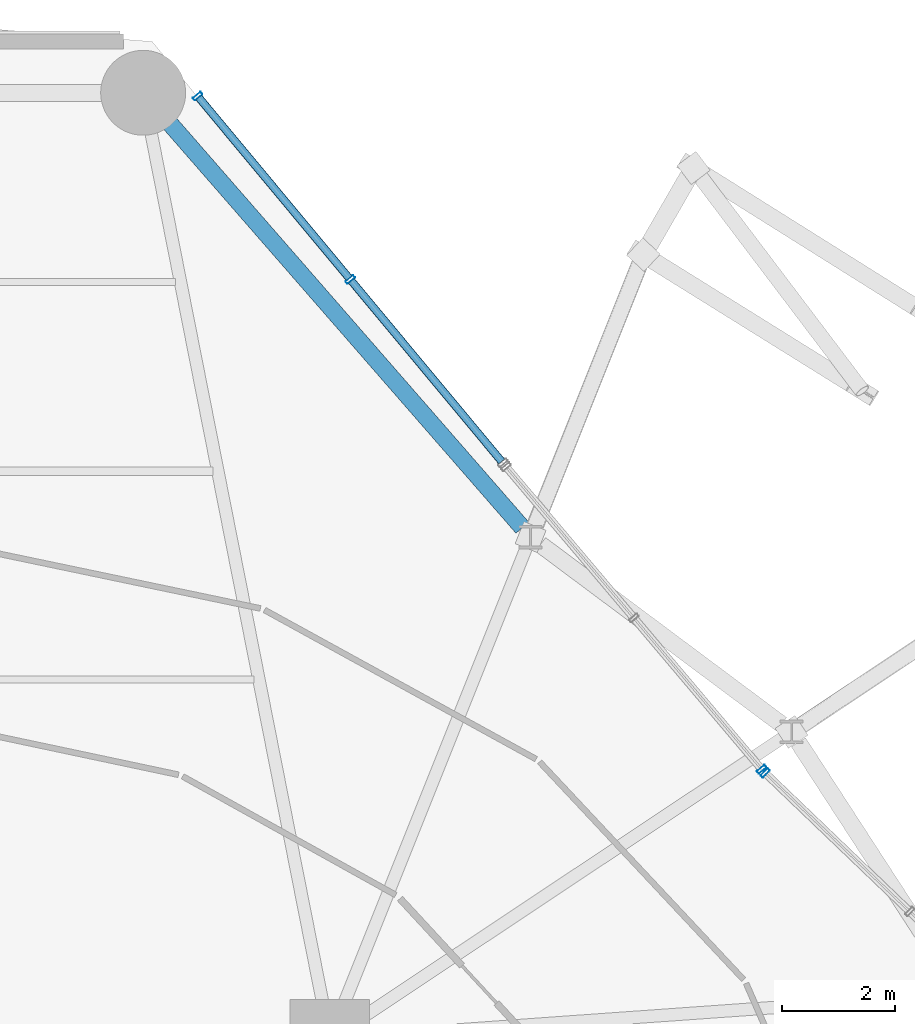
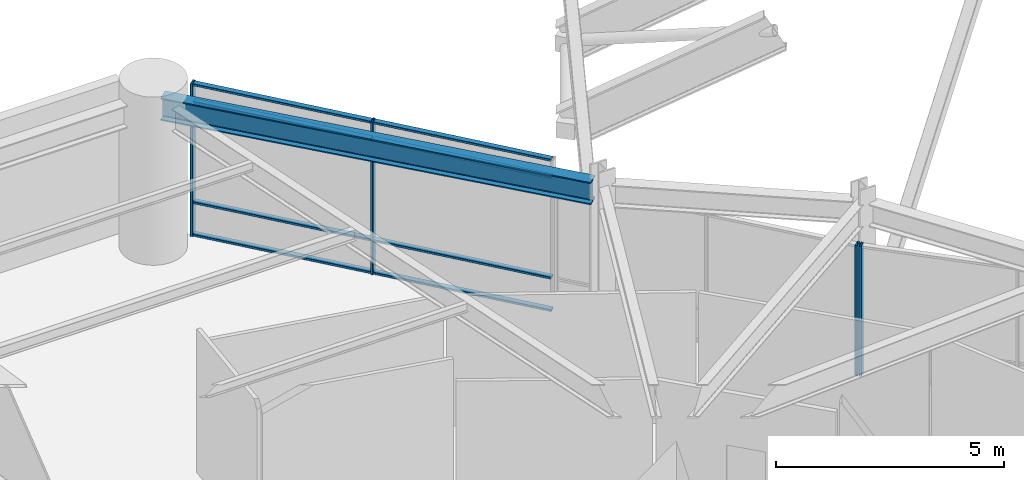
# One storey, part 36 of 53: 12 members, 1 beam, 3 elements without a shape of their own.
"""IFC4 building model written with IfcOpenShell, lengths in metres."""

import ifcopenshell
import ifcopenshell.guid

model = None  # the IFC model being written
_history = None  # IfcOwnerHistory: only IFC2X3 demands one
_inside = {}  # id of a spatial element -> (the spatial element, [elements in it])
_under = {}  # id of a project, library or spatial element -> (it, [spatial elements below it])
_declared = {}  # id of a project -> (the project, [libraries it declares])
_typed = {}  # id of a type object -> (the type object, [elements of that type])
_made_of = {}  # id of a material, layer set ... -> (it, [elements and type objects made of it])


def new_model(schema):
    """Start an empty IFC model of exactly this schema.

    Asked for "IFC4X3", IfcOpenShell would pick the latest addendum, in which some entities
    have other attributes; the version numbers below select the first issue.
    IFC2X3 requires an IfcOwnerHistory on every rooted entity: one is made here for all.
    """
    global model, _history
    if schema == "IFC4X3":
        model = ifcopenshell.file(schema_version=(4, 3, 0, 0))
    else:
        model = ifcopenshell.file(schema=schema)
    _inside.clear()
    _under.clear()
    _declared.clear()
    _typed.clear()
    _made_of.clear()
    _history = None
    if model.schema == "IFC2X3":
        org = make("IfcOrganization", Name="unknown")
        user = make(
            "IfcPersonAndOrganization",
            ThePerson=make("IfcPerson", FamilyName="unknown"),
            TheOrganization=org,
        )
        app = make(
            "IfcApplication",
            ApplicationDeveloper=org,
            Version="unknown",
            ApplicationFullName="unknown",
            ApplicationIdentifier="unknown",
        )
        _history = make(
            "IfcOwnerHistory",
            OwningUser=user,
            OwningApplication=app,
            ChangeAction="ADDED",
            CreationDate=0,
        )
    return model


def make(cls, **values):
    """One entity of the class cls with the attributes given. An attribute that is None is left unset."""
    return model.create_entity(
        cls, **{name: value for name, value in values.items() if value is not None}
    )


def rooted(cls, **values):
    """An entity with a GlobalId (a new one), such as an element, a storey or a relation."""
    return make(cls, GlobalId=ifcopenshell.guid.new(), OwnerHistory=_history, **values)


def si_unit(unit_type, name, prefix=None):
    """IfcSIUnit, for example si_unit("LENGTHUNIT", "METRE", prefix="MILLI")."""
    return make("IfcSIUnit", UnitType=unit_type, Prefix=prefix, Name=name)


def assignment(units):
    """IfcUnitAssignment: the units of a project."""
    return None if units is None else make("IfcUnitAssignment", Units=units)


def point(xyz):
    """IfcCartesianPoint."""
    return None if xyz is None else make("IfcCartesianPoint", Coordinates=xyz)


def direction(xyz):
    """IfcDirection."""
    return None if xyz is None else make("IfcDirection", DirectionRatios=xyz)


def frame(location, z_axis=None, x_axis=None):
    """IfcAxis2Placement3D, a coordinate frame: its origin and axes. An axis left out is left unset."""
    return make(
        "IfcAxis2Placement3D",
        Location=point(location),
        Axis=direction(z_axis),
        RefDirection=direction(x_axis),
    )


def frame_2d(location, x_axis=None):
    """IfcAxis2Placement2D, a coordinate frame in the plane: its origin and x axis."""
    return make(
        "IfcAxis2Placement2D", Location=point(location), RefDirection=direction(x_axis)
    )


def origin():
    """The frame at (0, 0, 0) with its axes left unset."""
    return frame((0.0, 0.0, 0.0))


def origin_2d():
    """The frame at (0, 0) in the plane with its x axis left unset."""
    return frame_2d((0.0, 0.0))


def place(relative_to, where):
    """IfcLocalPlacement: puts the frame where relative to a parent placement (None: the world)."""
    return make(
        "IfcLocalPlacement", PlacementRelTo=relative_to, RelativePlacement=where
    )


def context(
    kind, dimensions, precision=None, world=None, true_north=None, identifier=None
):
    """IfcGeometricRepresentationContext, for example the 3D "Model" context."""
    return make(
        "IfcGeometricRepresentationContext",
        ContextIdentifier=identifier,
        ContextType=kind,
        CoordinateSpaceDimension=dimensions,
        Precision=precision,
        WorldCoordinateSystem=world,
        TrueNorth=true_north,
    )


def subcontext(parent, identifier, kind, view, scale=None):
    """IfcGeometricRepresentationSubContext, for example "Body" below "Model"."""
    return make(
        "IfcGeometricRepresentationSubContext",
        ContextIdentifier=identifier,
        ContextType=kind,
        ParentContext=parent,
        TargetScale=scale,
        TargetView=view,
    )


def project(units=None, contexts=None):
    """IfcProject with its units and contexts."""
    return rooted(
        "IfcProject",
        Name="project",
        RepresentationContexts=contexts,
        UnitsInContext=assignment(units),
    )


def spatial(cls, under=None, at=None, **own):
    """A site, building, storey or space (cls), placed at a placement, below another one or the project."""
    s = rooted(cls, ObjectPlacement=at, **own)
    if under is not None:
        _under.setdefault(under.id(), (under, []))[1].append(s)
    return s


def profile(cls, at=None, kind="AREA", **sizes):
    """A parametric profile (cls). Its sizes go by their IFC names, for example OverallWidth=200.0."""
    return make(cls, ProfileType=kind, Position=at, **sizes)


def hollow_rectangle(**sizes):
    """IfcRectangleHollowProfileDef."""
    return profile("IfcRectangleHollowProfileDef", **sizes)


def i_section(**sizes):
    """IfcIShapeProfileDef."""
    return profile("IfcIShapeProfileDef", **sizes)


def extrude(swept, where, along, depth):
    """IfcExtrudedAreaSolid: the profile swept, set in the frame where, extruded along a direction by depth."""
    return make(
        "IfcExtrudedAreaSolid",
        SweptArea=swept,
        Position=where,
        ExtrudedDirection=direction(along),
        Depth=depth,
    )


def shape(context_of_items, identifier, shape_type, items):
    """IfcShapeRepresentation: the items that make up one representation, for example the "Body"."""
    return make(
        "IfcShapeRepresentation",
        ContextOfItems=context_of_items,
        RepresentationIdentifier=identifier,
        RepresentationType=shape_type,
        Items=items,
    )


def material(Name=None, Category=None):
    """IfcMaterial."""
    return make("IfcMaterial", Name=Name, Category=Category)


def layer(
    of_material, thickness, ventilated=None, Name=None, Category=None, Priority=None
):
    """IfcMaterialLayer: one layer of a wall or slab, of a material (None: an air gap)."""
    return make(
        "IfcMaterialLayer",
        Material=of_material,
        LayerThickness=thickness,
        IsVentilated=ventilated,
        Name=Name,
        Category=Category,
        Priority=Priority,
    )


def layer_set(layers, Name=None):
    """IfcMaterialLayerSet."""
    return make("IfcMaterialLayerSet", MaterialLayers=layers, LayerSetName=Name)


def material_profile(
    of_material, cross_section, Name=None, Category=None, Priority=None
):
    """IfcMaterialProfile: a cross section and its material."""
    return make(
        "IfcMaterialProfile",
        Name=Name,
        Material=of_material,
        Profile=cross_section,
        Priority=Priority,
        Category=Category,
    )


def profile_set(profiles, Name=None, composite=None):
    """IfcMaterialProfileSet."""
    return make(
        "IfcMaterialProfileSet",
        Name=Name,
        MaterialProfiles=profiles,
        CompositeProfile=composite,
    )


def made_of(thing, what):
    """Note that an element or type object is made of a material, layer set ...; save() writes the relation."""
    if what is not None:
        _made_of.setdefault(what.id(), (what, []))[1].append(thing)
    return thing


def type_object(cls, material=None, **own):
    """A type object (cls), such as IfcWallType, which elements share."""
    return made_of(rooted(cls, **own), material)


def element(
    cls,
    number,
    at=None,
    inside=None,
    cuts=None,
    type_object=None,
    material=None,
    context=None,
    identifier="Body",
    shape_type=None,
    held_by="IfcProductDefinitionShape",
    body=None,
    shapes=None,
    **own,
):
    """One element of the class cls, such as IfcWall. Its Tag is "e" and its number.

    at: its placement. inside: the storey or other place that contains it. cuts: it is an
    opening in that element (IfcRelVoidsElement). A single representation is given by context,
    identifier, shape_type and body (its items); several are given by shapes. held_by: the class
    of the entity that holds the representations. save() writes the other relations.
    """
    e = rooted(cls, Tag="e%d" % number, ObjectPlacement=at, **own)
    if body is not None:
        shapes = [shape(context, identifier, shape_type, body)]
    if shapes is not None:
        e.Representation = make(held_by, Representations=shapes)
    if inside is not None:
        _inside.setdefault(inside.id(), (inside, []))[1].append(e)
    if cuts is not None:
        rooted(
            "IfcRelVoidsElement", RelatingBuildingElement=cuts, RelatedOpeningElement=e
        )
    if type_object is not None:
        _typed.setdefault(type_object.id(), (type_object, []))[1].append(e)
    return made_of(e, material)


def aggregate(whole, parts):
    """IfcRelAggregates: a whole, such as a stair, and the parts it consists of."""
    return rooted("IfcRelAggregates", RelatingObject=whole, RelatedObjects=parts)


def save(model, path):
    """Write the relations noted so far, then the file.

    IfcRelAggregates (storeys below a building ...), IfcRelContainedInSpatialStructure (elements
    in a storey), IfcRelDefinesByType, IfcRelAssociatesMaterial and IfcRelDeclares: one each for
    every whole, place, type object, material and project.
    """
    for whole, parts in _under.values():
        aggregate(whole, parts)
    for where, things in _inside.values():
        rooted(
            "IfcRelContainedInSpatialStructure",
            RelatedElements=things,
            RelatingStructure=where,
        )
    for kind, things in _typed.values():
        rooted("IfcRelDefinesByType", RelatedObjects=things, RelatingType=kind)
    for what, things in _made_of.values():
        rooted("IfcRelAssociatesMaterial", RelatedObjects=things, RelatingMaterial=what)
    for by, libraries in _declared.values():
        rooted("IfcRelDeclares", RelatingContext=by, RelatedDefinitions=libraries)
    model.write(path)


model = new_model("IFC4")

# Units and contexts
model_context = context("Model", 3, precision=1e-05, world=origin(), true_north=direction((0.0, 1.0)))
body_context = subcontext(model_context, "Body", "Model", "MODEL_VIEW")
ifc_project = project(units=[si_unit("LENGTHUNIT", "METRE"), si_unit("AREAUNIT", "SQUARE_METRE"), si_unit("VOLUMEUNIT", "CUBIC_METRE"), si_unit("PLANEANGLEUNIT", "RADIAN"), si_unit("MASSUNIT", "GRAM", prefix="KILO")], contexts=[model_context])

# Site, building, storey
site_placement = place(None, origin())
site = spatial("IfcSite", under=ifc_project, at=site_placement, CompositionType="ELEMENT")
building_placement = place(site_placement, origin())
building = spatial("IfcBuilding", under=site, at=building_placement, Name="Kelanora Arch Commons", CompositionType="ELEMENT")
storey_placement = place(building_placement, frame((0.0, 0.0, 9.0)))
storey = spatial("IfcBuildingStorey", under=building, at=storey_placement, Name="L02", CompositionType="ELEMENT", Elevation=9.0)

# Beam
ifc_material_1 = material(Name="Steel S355", Category="steel")
ifc_material_profile_1 = material_profile(ifc_material_1, i_section(OverallWidth=0.300048828125, OverallDepth=0.60009765625, WebThickness=0.015380859375, FlangeThickness=0.030029296875, FilletRadius=0.027099609375, at=origin_2d()), Name="HEB600")
ifc_profile_set_1 = profile_set([ifc_material_profile_1], Name="Steel S355")
beam_type = type_object("IfcBeamType", Name="BM-SPN-Z1", PredefinedType="SPANDREL", material=ifc_profile_set_1)
beam_placement = place(storey_placement, frame((85.40087890625, 74.0322265625, 3.800048828125), z_axis=(-0.657217586408, 0.753700898311, 0.0), x_axis=(-0.753700898311, -0.657217586408, 0.0)))
element("IfcBeam", 1, at=beam_placement, inside=storey, type_object=beam_type, Name="Perimeter Spandrel Beam BS-06 L02", PredefinedType="SPANDREL", context=body_context, shape_type="SweptSolid", body=[
    extrude(i_section(OverallWidth=0.300048828125, OverallDepth=0.60009765625, WebThickness=0.015380859375, FlangeThickness=0.030029296875, FilletRadius=0.027099609375, at=origin_2d()), origin(), (0.0, 0.0, 1.0), 9.97216796875),
])

# Curtain wall, member
ifc_material_2 = material(Name="Terracotta ceramic-fritted low-E glass and aluminium", Category="masonry")
ifc_layer = layer(ifc_material_2, 0.2099609375)
ifc_layer_set = layer_set([ifc_layer], Name="Terracotta ceramic-fritted low-E glass and aluminium")
curtain_wall_type = type_object("IfcCurtainWallType", Name="CW-SYS-04", PredefinedType="NOTDEFINED", material=ifc_layer_set)
curtain_wall_1_placement = place(storey_placement, origin())
curtain_wall_1 = element("IfcCurtainWall", 2, at=curtain_wall_1_placement, inside=storey, type_object=curtain_wall_type, Name="Unitised Curtain Wall L02-B01", PredefinedType="NOTDEFINED")
ifc_material_3 = material(Name="Powder-coated aluminium terracotta", Category="masonry")
ifc_material_profile_2 = material_profile(ifc_material_3, hollow_rectangle(XDim=0.179931640625, YDim=0.06005859375, WallThickness=0.0048828125, InnerFilletRadius=0.0048828125, OuterFilletRadius=0.010009765625, at=origin_2d()), Name="CWM180x60")
ifc_profile_set_2 = profile_set([ifc_material_profile_2], Name="Powder-coated aluminium terracotta")
member_type_1 = type_object("IfcMemberType", Name="CWM-HVY", PredefinedType="MULLION", material=ifc_profile_set_2)
member_1_placement = place(storey_placement, frame((89.6904296875, 69.69970703125, 0.0), z_axis=(0.0, 0.0, 1.0), x_axis=(-0.691952518914, -0.721943011302, 0.0)))
member_1 = element("IfcMember", 3, at=member_1_placement, type_object=member_type_1, Name="CW-04 mullion 3", PredefinedType="MULLION", context=body_context, shape_type="SweptSolid", body=[
    extrude(hollow_rectangle(XDim=0.179931640625, YDim=0.06005859375, WallThickness=0.0048828125, InnerFilletRadius=0.0048828125, OuterFilletRadius=0.010009765625, at=origin_2d()), origin(), (0.0, 0.0, 1.0), 3.47998046875),
])
aggregate(curtain_wall_1, [member_1])

curtain_wall_2_placement = place(storey_placement, origin())
curtain_wall_2 = element("IfcCurtainWall", 4, at=curtain_wall_2_placement, inside=storey, type_object=curtain_wall_type, Name="Unitised Curtain Wall L02-B02", PredefinedType="NOTDEFINED")
member_2_placement = place(storey_placement, frame((89.62890625, 69.765380859375, 0.0), z_axis=(0.0, 0.0, 1.0), x_axis=(-0.763854903949, -0.645388011752, 0.0)))
member_2 = element("IfcMember", 5, at=member_2_placement, type_object=member_type_1, Name="CW-04 mullion 1", PredefinedType="MULLION", context=body_context, shape_type="SweptSolid", body=[
    extrude(hollow_rectangle(XDim=0.179931640625, YDim=0.06005859375, WallThickness=0.0048828125, InnerFilletRadius=0.0048828125, OuterFilletRadius=0.010009765625, at=origin_2d()), origin(), (0.0, 0.0, 1.0), 3.47998046875),
])
aggregate(curtain_wall_2, [member_2])

# Curtain wall, members
curtain_wall_3_placement = place(storey_placement, origin())
curtain_wall_3 = element("IfcCurtainWall", 6, at=curtain_wall_3_placement, inside=storey, type_object=curtain_wall_type, Name="Unitised Curtain Wall L02-B03", PredefinedType="NOTDEFINED")
member_3_placement = place(storey_placement, frame((82.361083984375, 78.416015625, 0.0), z_axis=(0.0, 0.0, 1.0), x_axis=(-0.768622918602, -0.639702125211, 0.0)))
member_3 = element("IfcMember", 7, at=member_3_placement, type_object=member_type_1, Name="CW-04 mullion 2", PredefinedType="MULLION", context=body_context, shape_type="SweptSolid", body=[
    extrude(hollow_rectangle(XDim=0.179931640625, YDim=0.06005859375, WallThickness=0.0048828125, InnerFilletRadius=0.0048828125, OuterFilletRadius=0.010009765625, at=origin_2d()), origin(), (0.0, 0.0, 1.0), 4.0849609375),
])
member_4_placement = place(storey_placement, frame((79.665771484375, 81.654541015625, 0.0), z_axis=(0.0, 0.0, 1.0), x_axis=(-0.768622918602, -0.639702125211, 0.0)))
member_4 = element("IfcMember", 8, at=member_4_placement, type_object=member_type_1, Name="CW-04 mullion 3", PredefinedType="MULLION", context=body_context, shape_type="SweptSolid", body=[
    extrude(hollow_rectangle(XDim=0.179931640625, YDim=0.06005859375, WallThickness=0.0048828125, InnerFilletRadius=0.0048828125, OuterFilletRadius=0.010009765625, at=origin_2d()), origin(), (0.0, 0.0, 1.0), 4.0849609375),
])
ifc_material_profile_3 = material_profile(ifc_material_3, hollow_rectangle(XDim=0.139892578125, YDim=0.06005859375, WallThickness=0.0048828125, InnerFilletRadius=0.0048828125, OuterFilletRadius=0.010009765625, at=origin_2d()), Name="CWT140x60")
ifc_profile_set_3 = profile_set([ifc_material_profile_3], Name="Powder-coated aluminium terracotta")
member_type_2 = type_object("IfcMemberType", Name="CWT-HVY", PredefinedType="USERDEFINED", material=ifc_profile_set_3)
member_5_placement = place(storey_placement, frame((85.037109375, 75.20068359375, 0.030029296875), z_axis=(-0.639704353367, 0.768621064168, 0.0), x_axis=(-0.768621064168, -0.639704353367, 0.0)))
member_5 = element("IfcMember", 9, at=member_5_placement, type_object=member_type_2, Name="CW-04 transom 1.1", ObjectType="TRANSOM", PredefinedType="USERDEFINED", context=body_context, shape_type="SweptSolid", body=[
    extrude(hollow_rectangle(XDim=0.139892578125, YDim=0.06005859375, WallThickness=0.0048828125, InnerFilletRadius=0.0048828125, OuterFilletRadius=0.010009765625, at=origin_2d()), origin(), (0.0, 0.0, 1.0), 4.153076171875),
])
member_6_placement = place(storey_placement, frame((85.037109375, 75.20068359375, 0.89990234375), z_axis=(-0.639704353367, 0.768621064168, 0.0), x_axis=(-0.768621064168, -0.639704353367, 0.0)))
member_6 = element("IfcMember", 10, at=member_6_placement, type_object=member_type_2, Name="CW-04 transom 1.2", ObjectType="TRANSOM", PredefinedType="USERDEFINED", context=body_context, shape_type="SweptSolid", body=[
    extrude(hollow_rectangle(XDim=0.139892578125, YDim=0.06005859375, WallThickness=0.0048828125, InnerFilletRadius=0.0048828125, OuterFilletRadius=0.010009765625, at=origin_2d()), origin(), (0.0, 0.0, 1.0), 4.153076171875),
])
member_7_placement = place(storey_placement, frame((85.037109375, 75.20068359375, 3.5849609375), z_axis=(-0.639704353367, 0.768621064168, 0.0), x_axis=(-0.768621064168, -0.639704353367, 0.0)))
member_7 = element("IfcMember", 11, at=member_7_placement, type_object=member_type_2, Name="CW-04 transom 1.3", ObjectType="TRANSOM", PredefinedType="USERDEFINED", context=body_context, shape_type="SweptSolid", body=[
    extrude(hollow_rectangle(XDim=0.139892578125, YDim=0.06005859375, WallThickness=0.0048828125, InnerFilletRadius=0.0048828125, OuterFilletRadius=0.010009765625, at=origin_2d()), origin(), (0.0, 0.0, 1.0), 4.153076171875),
])
member_8_placement = place(storey_placement, frame((85.037109375, 75.20068359375, 4.054931640625), z_axis=(-0.639704353367, 0.768621064168, 0.0), x_axis=(-0.768621064168, -0.639704353367, 0.0)))
member_8 = element("IfcMember", 12, at=member_8_placement, type_object=member_type_2, Name="CW-04 transom 1.4", ObjectType="TRANSOM", PredefinedType="USERDEFINED", context=body_context, shape_type="SweptSolid", body=[
    extrude(hollow_rectangle(XDim=0.139892578125, YDim=0.06005859375, WallThickness=0.0048828125, InnerFilletRadius=0.0048828125, OuterFilletRadius=0.010009765625, at=origin_2d()), origin(), (0.0, 0.0, 1.0), 4.153076171875),
])
member_9_placement = place(storey_placement, frame((82.342041015625, 78.43896484375, 0.030029296875), z_axis=(-0.639710177815, 0.768616216586, 0.0), x_axis=(-0.768616216586, -0.639710177815, 0.0)))
member_9 = element("IfcMember", 13, at=member_9_placement, type_object=member_type_2, Name="CW-04 transom 2.1", ObjectType="TRANSOM", PredefinedType="USERDEFINED", context=body_context, shape_type="SweptSolid", body=[
    extrude(hollow_rectangle(XDim=0.139892578125, YDim=0.06005859375, WallThickness=0.0048828125, InnerFilletRadius=0.0048828125, OuterFilletRadius=0.010009765625, at=origin_2d()), origin(), (0.0, 0.0, 1.0), 4.1533203125),
])
member_10_placement = place(storey_placement, frame((82.342041015625, 78.43896484375, 0.89990234375), z_axis=(-0.639710177815, 0.768616216586, 0.0), x_axis=(-0.768616216586, -0.639710177815, 0.0)))
member_10 = element("IfcMember", 14, at=member_10_placement, type_object=member_type_2, Name="CW-04 transom 2.2", ObjectType="TRANSOM", PredefinedType="USERDEFINED", context=body_context, shape_type="SweptSolid", body=[
    extrude(hollow_rectangle(XDim=0.139892578125, YDim=0.06005859375, WallThickness=0.0048828125, InnerFilletRadius=0.0048828125, OuterFilletRadius=0.010009765625, at=origin_2d()), origin(), (0.0, 0.0, 1.0), 4.1533203125),
])
member_11_placement = place(storey_placement, frame((82.342041015625, 78.43896484375, 3.5849609375), z_axis=(-0.639710177815, 0.768616216586, 0.0), x_axis=(-0.768616216586, -0.639710177815, 0.0)))
member_11 = element("IfcMember", 15, at=member_11_placement, type_object=member_type_2, Name="CW-04 transom 2.3", ObjectType="TRANSOM", PredefinedType="USERDEFINED", context=body_context, shape_type="SweptSolid", body=[
    extrude(hollow_rectangle(XDim=0.139892578125, YDim=0.06005859375, WallThickness=0.0048828125, InnerFilletRadius=0.0048828125, OuterFilletRadius=0.010009765625, at=origin_2d()), origin(), (0.0, 0.0, 1.0), 4.1533203125),
])
member_12_placement = place(storey_placement, frame((82.342041015625, 78.43896484375, 4.054931640625), z_axis=(-0.639710177815, 0.768616216586, 0.0), x_axis=(-0.768616216586, -0.639710177815, 0.0)))
member_12 = element("IfcMember", 16, at=member_12_placement, type_object=member_type_2, Name="CW-04 transom 2.4", ObjectType="TRANSOM", PredefinedType="USERDEFINED", context=body_context, shape_type="SweptSolid", body=[
    extrude(hollow_rectangle(XDim=0.139892578125, YDim=0.06005859375, WallThickness=0.0048828125, InnerFilletRadius=0.0048828125, OuterFilletRadius=0.010009765625, at=origin_2d()), origin(), (0.0, 0.0, 1.0), 4.1533203125),
])
aggregate(curtain_wall_3, [member_3, member_4, member_5, member_6, member_7, member_8, member_9, member_10, member_11, member_12])

save(model, "model.ifc")
